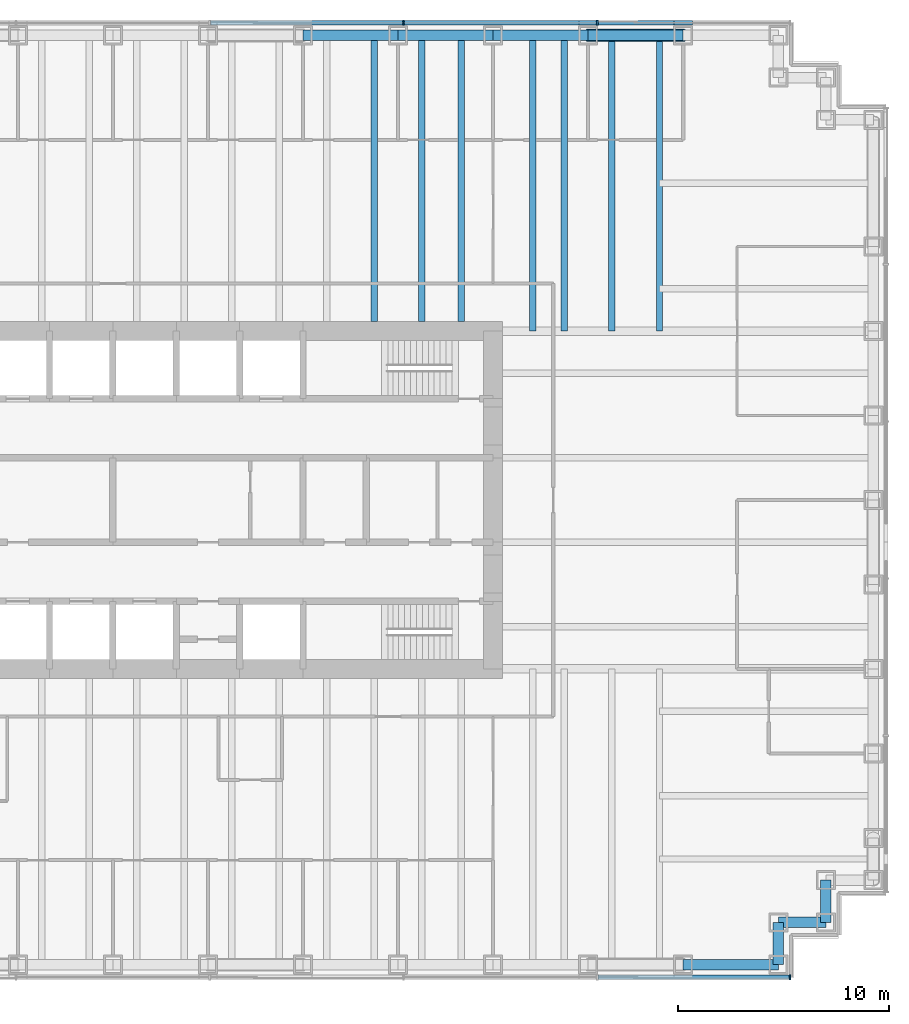
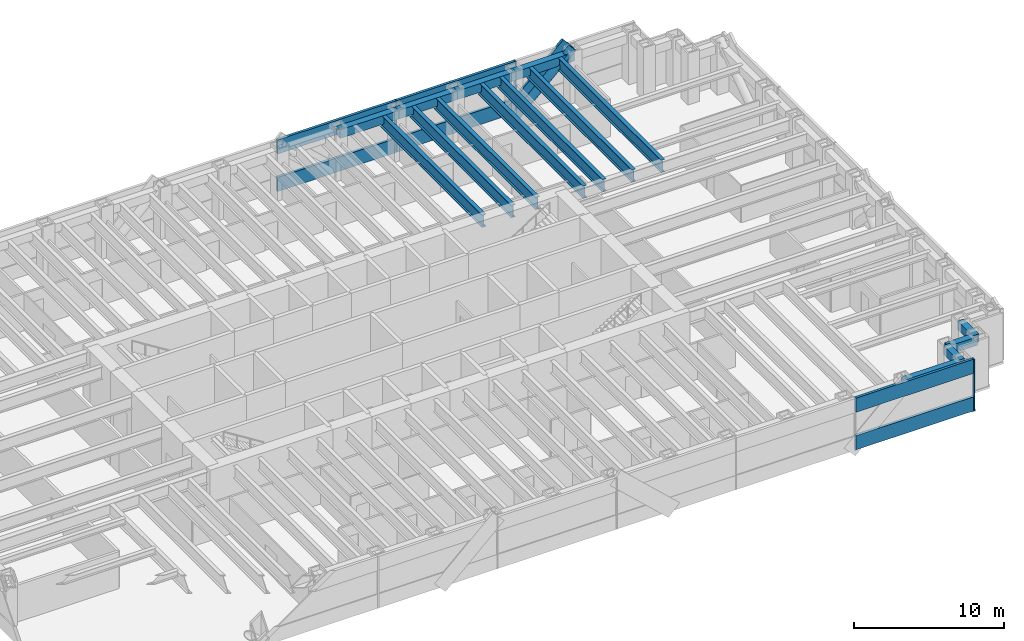
# One storey, part 6 of 16: 15 beams, 11 members, 2 elements without a shape of their own.
"""IFC4 building model written with IfcOpenShell, lengths in metres."""

from ifc_helpers import new_model, si_unit, direction, frame, origin, origin_2d, place, context, subcontext, project, spatial, rectangle, hollow_rectangle, hollow_circle, i_section, extrude, material, material_profile, profile_set, type_object, element, aggregate, save


model = new_model("IFC4")

# Units and contexts
model_context = context("Model", 3, precision=1e-05, world=origin(), true_north=direction((0.0, 1.0)))
body_context = subcontext(model_context, "Body", "Model", "MODEL_VIEW")
ifc_project = project(units=[si_unit("LENGTHUNIT", "METRE"), si_unit("AREAUNIT", "SQUARE_METRE"), si_unit("VOLUMEUNIT", "CUBIC_METRE"), si_unit("PLANEANGLEUNIT", "RADIAN"), si_unit("MASSUNIT", "GRAM", prefix="KILO")], contexts=[model_context])

# Site, building, storey
site_placement = place(None, origin())
site = spatial("IfcSite", under=ifc_project, at=site_placement, CompositionType="ELEMENT")
building_placement = place(site_placement, origin())
building = spatial("IfcBuilding", under=site, at=building_placement, Name="Rheinbord Bourse Tower", CompositionType="ELEMENT")
storey_placement = place(building_placement, frame((0.0, 0.0, 176.10009765625)))
storey = spatial("IfcBuildingStorey", under=building, at=storey_placement, Name="L39", CompositionType="ELEMENT", Elevation=176.10009765625)

# Beams
ifc_material_1 = material(Name="Steel S460M", Category="steel")
ifc_material_profile_1 = material_profile(ifc_material_1, hollow_rectangle(XDim=0.5, YDim=0.699951171875, WallThickness=0.0400390625, at=origin_2d()), Name="BOX 700x500x40")
ifc_profile_set_1 = profile_set([ifc_material_profile_1], Name="Steel S460M")
beam_type_1 = type_object("IfcBeamType", Name="BELT CHORD BOX 700x500x40", PredefinedType="SPANDREL", material=ifc_profile_set_1)
beam_1_placement = place(storey_placement, frame((63.0, 2.0, 3.599853515625), z_axis=(1.0, 0.0, 0.0), x_axis=(0.0, 1.0, 0.0)))
element("IfcBeam", 1, at=beam_1_placement, inside=storey, type_object=beam_type_1, Name="Spandrel S-63-SE-E under L40", PredefinedType="SPANDREL", context=body_context, shape_type="SweptSolid", body=[
    extrude(hollow_rectangle(XDim=0.5, YDim=0.699951171875, WallThickness=0.0400390625, at=origin_2d()), origin(), (0.0, 0.0, 1.0), 4.5),
])
beam_2_placement = place(storey_placement, frame((67.5, 2.0, 3.599853515625), z_axis=(0.0, 1.0, 0.0), x_axis=(-1.0, 0.0, 0.0)))
element("IfcBeam", 2, at=beam_2_placement, inside=storey, type_object=beam_type_1, Name="Spandrel SE-E-SE-D under L40", PredefinedType="SPANDREL", context=body_context, shape_type="SweptSolid", body=[
    extrude(hollow_rectangle(XDim=0.5, YDim=0.699951171875, WallThickness=0.0400390625, at=origin_2d()), origin(), (0.0, 0.0, 1.0), 2.0),
])
beam_3_placement = place(storey_placement, frame((67.5, 4.0, 3.599853515625), z_axis=(1.0, 0.0, 0.0), x_axis=(0.0, 1.0, 0.0)))
element("IfcBeam", 3, at=beam_3_placement, inside=storey, type_object=beam_type_1, Name="Spandrel SE-D-SE-C under L40", PredefinedType="SPANDREL", context=body_context, shape_type="SweptSolid", body=[
    extrude(hollow_rectangle(XDim=0.5, YDim=0.699951171875, WallThickness=0.0400390625, at=origin_2d()), origin(), (0.0, 0.0, 1.0), 2.25),
])
beam_4_placement = place(storey_placement, frame((69.75, 4.0, 3.599853515625), z_axis=(0.0, 1.0, 0.0), x_axis=(-1.0, 0.0, 0.0)))
element("IfcBeam", 4, at=beam_4_placement, inside=storey, type_object=beam_type_1, Name="Spandrel SE-C-SE-B under L40", PredefinedType="SPANDREL", context=body_context, shape_type="SweptSolid", body=[
    extrude(hollow_rectangle(XDim=0.5, YDim=0.699951171875, WallThickness=0.0400390625, at=origin_2d()), origin(), (0.0, 0.0, 1.0), 2.0),
])
for number, where, z_axis, x_axis, name in (
    (5, (63.0, 46.0, 3.599853515625), (-1.0, 0.0, 0.0), (0.0, -1.0, 0.0), "Spandrel N-63-N-58.5 under L40"),
    (6, (58.5, 46.0, 3.599853515625), (-1.0, 0.0, 0.0), (0.0, -1.0, 0.0), "Spandrel N-58.5-N-54 under L40"),
    (7, (54.0, 46.0, 3.599853515625), (-1.0, 0.0, 0.0), (0.0, -1.0, 0.0), "Spandrel N-54-N-49.5 under L40"),
    (8, (49.5, 46.0, 3.599853515625), (-1.0, 0.0, 0.0), (0.0, -1.0, 0.0), "Spandrel N-49.5-N-45 under L40"),
):
    element("IfcBeam", number, at=place(storey_placement, frame(where, z_axis=z_axis, x_axis=x_axis)), inside=storey, type_object=beam_type_1, Name=name, PredefinedType="SPANDREL", context=body_context, shape_type="SweptSolid", body=[
        extrude(hollow_rectangle(XDim=0.5, YDim=0.699951171875, WallThickness=0.0400390625, at=origin_2d()), origin(), (0.0, 0.0, 1.0), 4.5),
    ])

# Curtain wall, member
ifc_material_2 = material(Name="Dark glass and black aluminium", Category="aluminium")
curtain_wall_type = type_object("IfcCurtainWallType", Name="CW5 DARK GLASS CURTAIN WALL", PredefinedType="USERDEFINED", material=ifc_material_2)
curtain_wall_1_placement = place(storey_placement, origin())
curtain_wall_1 = element("IfcCurtainWall", 9, at=curtain_wall_1_placement, inside=storey, type_object=curtain_wall_type, Name="Curtain wall CW5 N L39", ObjectType="UNITISED CURTAIN WALL", PredefinedType="USERDEFINED")
ifc_material_3 = material(Name="Black anodised aluminium", Category="aluminium")
ifc_material_profile_2 = material_profile(ifc_material_3, rectangle(XDim=0.199951171875, YDim=1.259033203125, at=origin_2d()), Name="CW5 DIAGONAL MULLION 1259x200")
ifc_profile_set_2 = profile_set([ifc_material_profile_2], Name="Black anodised aluminium")
member_type_1 = type_object("IfcMemberType", Name="CW5 BLACK DIAGONAL MULLION", PredefinedType="USERDEFINED", material=ifc_profile_set_2)
member_1_placement = place(storey_placement, frame((58.5, 46.60009765625, 0.0), z_axis=(0.73105922506, 0.0, 0.682314010889), x_axis=(0.0, 1.0, 0.0)))
member_1 = element("IfcMember", 10, at=member_1_placement, type_object=member_type_1, Name="CW5 diagonal mullion a", ObjectType="DIAGONAL MULLION", PredefinedType="USERDEFINED", context=body_context, shape_type="SweptSolid", body=[
    extrude(rectangle(XDim=0.199951171875, YDim=1.259033203125, at=origin_2d()), origin(), (0.0, 0.0, 1.0), 6.155517578125),
])

curtain_wall_2_placement = place(storey_placement, origin())
curtain_wall_2 = element("IfcCurtainWall", 11, at=curtain_wall_2_placement, inside=storey, type_object=curtain_wall_type, Name="Curtain wall CW5 S L39", ObjectType="UNITISED CURTAIN WALL", PredefinedType="USERDEFINED")
ifc_material_4 = material(Name="Black anodised aluminium", Category="aluminium")
ifc_material_profile_3 = material_profile(ifc_material_4, rectangle(XDim=0.25, YDim=0.080078125, at=origin_2d()), Name="CW5 MULLION 80x250")
ifc_profile_set_3 = profile_set([ifc_material_profile_3], Name="Black anodised aluminium")
member_type_2 = type_object("IfcMemberType", Name="CW5 BLACK MULLION", PredefinedType="MULLION", material=ifc_profile_set_3)
member_2_placement = place(storey_placement, frame((68.06005859375, 1.39990234375, 0.0), z_axis=(0.0, 0.0, 1.0), x_axis=(0.0, 1.0, 0.0)))
member_2 = element("IfcMember", 12, at=member_2_placement, type_object=member_type_2, Name="CW5 mullion 8", PredefinedType="MULLION", context=body_context, shape_type="SweptSolid", body=[
    extrude(rectangle(XDim=0.25, YDim=0.080078125, at=origin_2d()), origin(), (0.0, 0.0, 1.0), 4.199951171875),
])

# Member
member_3_placement = place(storey_placement, frame((58.928466796875, 46.60009765625, 0.0), z_axis=(0.0, 0.0, 1.0), x_axis=(0.0, -1.0, 0.0)))
member_3 = element("IfcMember", 13, at=member_3_placement, type_object=member_type_2, Name="CW5 mullion 2", PredefinedType="MULLION", context=body_context, shape_type="SweptSolid", body=[
    extrude(rectangle(XDim=0.25, YDim=0.080078125, at=origin_2d()), origin(), (0.0, 0.0, 1.0), 4.199951171875),
])

member_4_placement = place(storey_placement, frame((49.757080078125, 46.60009765625, 0.0), z_axis=(0.0, 0.0, 1.0), x_axis=(0.0, -1.0, 0.0)))
member_4 = element("IfcMember", 14, at=member_4_placement, type_object=member_type_2, Name="CW5 mullion 3", PredefinedType="MULLION", context=body_context, shape_type="SweptSolid", body=[
    extrude(rectangle(XDim=0.25, YDim=0.080078125, at=origin_2d()), origin(), (0.0, 0.0, 1.0), 4.199951171875),
])

ifc_material_5 = material(Name="Black anodised aluminium", Category="aluminium")
ifc_material_profile_4 = material_profile(ifc_material_5, rectangle(XDim=0.199951171875, YDim=1.14990234375, at=origin_2d()), Name="CW5 TRANSOM 1150x200")
ifc_profile_set_4 = profile_set([ifc_material_profile_4], Name="Black anodised aluminium")
member_type_3 = type_object("IfcMemberType", Name="CW5 BLACK TRANSOM", PredefinedType="USERDEFINED", material=ifc_profile_set_4)
member_5_placement = place(storey_placement, frame((58.968505859375, 1.39990234375, 0.574951171875), z_axis=(1.0, 0.0, 0.0), x_axis=(0.0, 1.0, 0.0)))
member_5 = element("IfcMember", 15, at=member_5_placement, type_object=member_type_3, Name="CW5 transom 7.1", ObjectType="TRANSOM", PredefinedType="USERDEFINED", context=body_context, shape_type="SweptSolid", body=[
    extrude(rectangle(XDim=0.199951171875, YDim=1.14990234375, at=origin_2d()), origin(), (0.0, 0.0, 1.0), 9.051513671875),
])

member_6_placement = place(storey_placement, frame((58.968505859375, 1.39990234375, 3.625), z_axis=(1.0, 0.0, 0.0), x_axis=(0.0, 1.0, 0.0)))
member_6 = element("IfcMember", 16, at=member_6_placement, type_object=member_type_3, Name="CW5 transom 7.2", ObjectType="TRANSOM", PredefinedType="USERDEFINED", context=body_context, shape_type="SweptSolid", body=[
    extrude(rectangle(XDim=0.199951171875, YDim=1.14990234375, at=origin_2d()), origin(), (0.0, 0.0, 1.0), 9.051513671875),
])

aggregate(curtain_wall_2, [member_2, member_5, member_6])

member_7_placement = place(storey_placement, frame((58.888671875, 46.60009765625, 0.574951171875), z_axis=(-1.0, 0.0, 0.0), x_axis=(0.0, -1.0, 0.0)))
member_7 = element("IfcMember", 17, at=member_7_placement, type_object=member_type_3, Name="CW5 transom 2.1", ObjectType="TRANSOM", PredefinedType="USERDEFINED", context=body_context, shape_type="SweptSolid", body=[
    extrude(rectangle(XDim=0.199951171875, YDim=1.14990234375, at=origin_2d()), origin(), (0.0, 0.0, 1.0), 9.091552734375),
])

member_8_placement = place(storey_placement, frame((58.888671875, 46.60009765625, 3.625), z_axis=(-1.0, 0.0, 0.0), x_axis=(0.0, -1.0, 0.0)))
member_8 = element("IfcMember", 18, at=member_8_placement, type_object=member_type_3, Name="CW5 transom 2.2", ObjectType="TRANSOM", PredefinedType="USERDEFINED", context=body_context, shape_type="SweptSolid", body=[
    extrude(rectangle(XDim=0.199951171875, YDim=1.14990234375, at=origin_2d()), origin(), (0.0, 0.0, 1.0), 9.091552734375),
])

member_9_placement = place(storey_placement, frame((49.717041015625, 46.60009765625, 0.574951171875), z_axis=(-1.0, 0.0, 0.0), x_axis=(0.0, -1.0, 0.0)))
member_9 = element("IfcMember", 19, at=member_9_placement, type_object=member_type_3, Name="CW5 transom 3.1", ObjectType="TRANSOM", PredefinedType="USERDEFINED", context=body_context, shape_type="SweptSolid", body=[
    extrude(rectangle(XDim=0.199951171875, YDim=1.14990234375, at=origin_2d()), origin(), (0.0, 0.0, 1.0), 9.09130859375),
])

member_10_placement = place(storey_placement, frame((49.717041015625, 46.60009765625, 3.625), z_axis=(-1.0, 0.0, 0.0), x_axis=(0.0, -1.0, 0.0)))
member_10 = element("IfcMember", 20, at=member_10_placement, type_object=member_type_3, Name="CW5 transom 3.2", ObjectType="TRANSOM", PredefinedType="USERDEFINED", context=body_context, shape_type="SweptSolid", body=[
    extrude(rectangle(XDim=0.199951171875, YDim=1.14990234375, at=origin_2d()), origin(), (0.0, 0.0, 1.0), 9.09130859375),
])

aggregate(curtain_wall_1, [member_3, member_4, member_7, member_8, member_9, member_10, member_1])

# Beams
ifc_material_6 = material(Name="Steel S460", Category="steel")
ifc_material_profile_5 = material_profile(ifc_material_6, i_section(OverallWidth=0.302001953125, OverallDepth=1.008056640625, WebThickness=0.02099609375, FlangeThickness=0.0400390625, at=origin_2d()), Name="HEM 1000")
ifc_profile_set_5 = profile_set([ifc_material_profile_5], Name="Steel S460")
beam_type_2 = type_object("IfcBeamType", Name="FLOOR BEAM HEM 1000", PredefinedType="BEAM", material=ifc_profile_set_5)
for number, where, z_axis, x_axis, name in (
    (21, (48.375, 46.0, 3.44580078125), (0.0, -1.0, 0.0), (1.0, 0.0, 0.0), "Floor beam N-45b L40"),
    (22, (50.625, 46.0, 3.44580078125), (0.0, -1.0, 0.0), (1.0, 0.0, 0.0), "Floor beam N-49.5a L40"),
    (23, (52.5, 46.0, 3.44580078125), (0.0, -1.0, 0.0), (1.0, 0.0, 0.0), "Floor beam N-49.5b L40"),
):
    element("IfcBeam", number, at=place(storey_placement, frame(where, z_axis=z_axis, x_axis=x_axis)), inside=storey, type_object=beam_type_2, Name=name, PredefinedType="BEAM", context=body_context, shape_type="SweptSolid", body=[
        extrude(i_section(OverallWidth=0.302001953125, OverallDepth=1.008056640625, WebThickness=0.02099609375, FlangeThickness=0.0400390625, at=origin_2d()), origin(), (0.0, 0.0, 1.0), 13.550048828125),
    ])
for number, where, z_axis, x_axis, name in (
    (24, (55.875, 46.0, 3.44580078125), (0.0, -1.0, 0.0), (1.0, 0.0, 0.0), "Floor beam N-54a L40"),
    (25, (57.375, 46.0, 3.44580078125), (0.0, -1.0, 0.0), (1.0, 0.0, 0.0), "Floor beam N-54b L40"),
    (26, (59.625, 46.0, 3.44580078125), (0.0, -1.0, 0.0), (1.0, 0.0, 0.0), "Floor beam N-58.5a L40"),
    (27, (61.875, 46.0, 3.44580078125), (0.0, -1.0, 0.0), (1.0, 0.0, 0.0), "Floor beam N-58.5b L40"),
):
    element("IfcBeam", number, at=place(storey_placement, frame(where, z_axis=z_axis, x_axis=x_axis)), inside=storey, type_object=beam_type_2, Name=name, PredefinedType="BEAM", context=body_context, shape_type="SweptSolid", body=[
        extrude(i_section(OverallWidth=0.302001953125, OverallDepth=1.008056640625, WebThickness=0.02099609375, FlangeThickness=0.0400390625, at=origin_2d()), origin(), (0.0, 0.0, 1.0), 14.0),
    ])

# Member
ifc_material_7 = material(Name="Steel S460", Category="steel")
ifc_material_profile_6 = material_profile(ifc_material_7, hollow_circle(Radius=0.304931640625, WallThickness=0.0400390625, at=origin_2d()), Name="CHS 610x40")
ifc_profile_set_6 = profile_set([ifc_material_profile_6], Name="Steel S460")
member_type_4 = type_object("IfcMemberType", Name="MEGABRACE CHS 610x40", PredefinedType="BRACE", material=ifc_profile_set_6)
member_11_placement = place(storey_placement, frame((58.5, 46.0, 0.0), z_axis=(0.73105922506, 0.0, 0.682314010889), x_axis=(0.0, 1.0, 0.0)))
element("IfcMember", 28, at=member_11_placement, inside=storey, type_object=member_type_4, Name="Megabrace N face line a L39", PredefinedType="BRACE", context=body_context, shape_type="SweptSolid", body=[
    extrude(hollow_circle(Radius=0.304931640625, WallThickness=0.0400390625, at=origin_2d()), origin(), (0.0, 0.0, 1.0), 6.155517578125),
])

save(model, "model.ifc")
